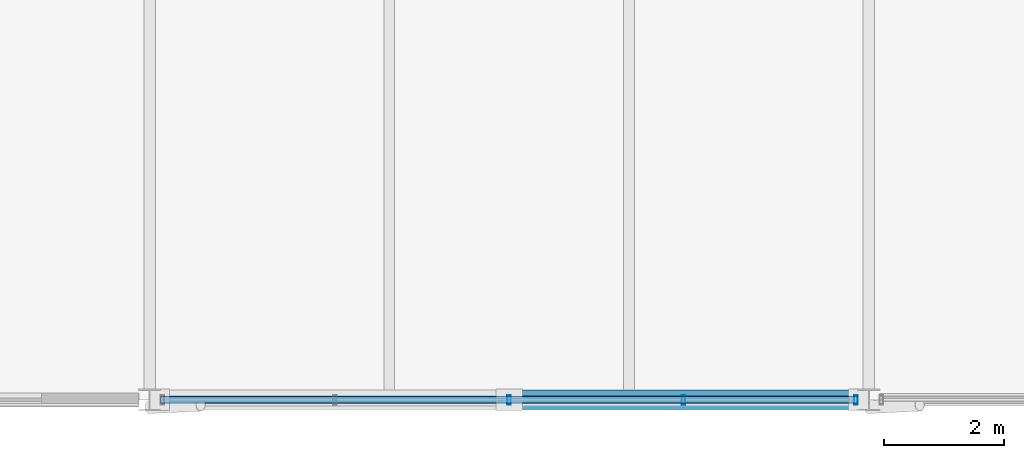
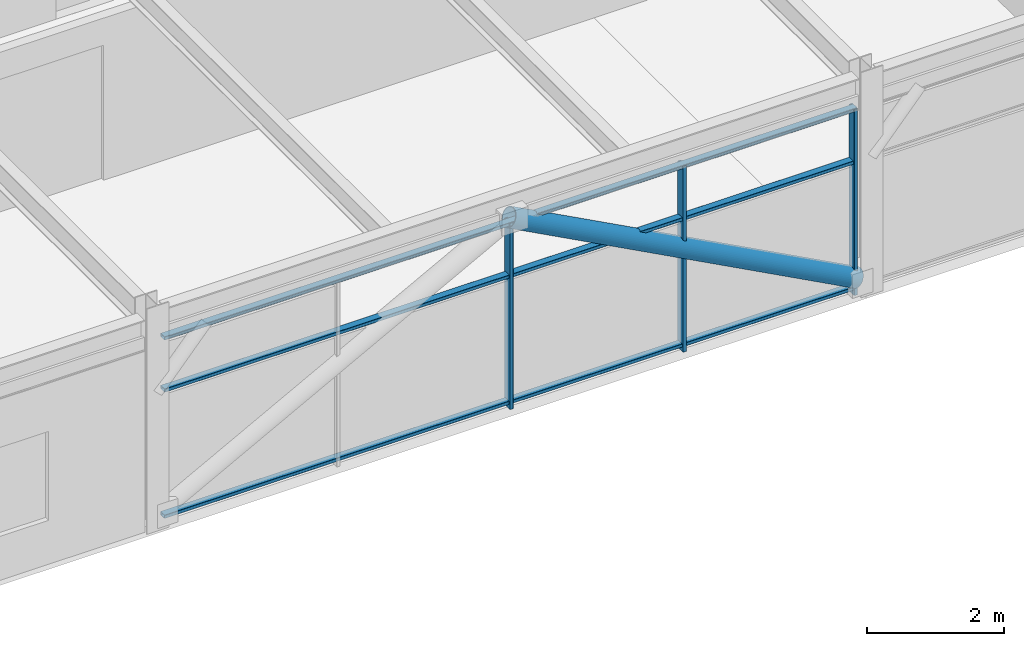
# One storey, part 7 of 40: 7 members, 1 element without a shape of its own.
"""IFC4 building model written with IfcOpenShell, lengths in metres."""

import ifcopenshell
import ifcopenshell.guid

model = None  # the IFC model being written
_history = None  # IfcOwnerHistory: only IFC2X3 demands one
_inside = {}  # id of a spatial element -> (the spatial element, [elements in it])
_under = {}  # id of a project, library or spatial element -> (it, [spatial elements below it])
_declared = {}  # id of a project -> (the project, [libraries it declares])
_typed = {}  # id of a type object -> (the type object, [elements of that type])
_made_of = {}  # id of a material, layer set ... -> (it, [elements and type objects made of it])


def new_model(schema):
    """Start an empty IFC model of exactly this schema.

    Asked for "IFC4X3", IfcOpenShell would pick the latest addendum, in which some entities
    have other attributes; the version numbers below select the first issue.
    IFC2X3 requires an IfcOwnerHistory on every rooted entity: one is made here for all.
    """
    global model, _history
    if schema == "IFC4X3":
        model = ifcopenshell.file(schema_version=(4, 3, 0, 0))
    else:
        model = ifcopenshell.file(schema=schema)
    _inside.clear()
    _under.clear()
    _declared.clear()
    _typed.clear()
    _made_of.clear()
    _history = None
    if model.schema == "IFC2X3":
        org = make("IfcOrganization", Name="unknown")
        user = make(
            "IfcPersonAndOrganization",
            ThePerson=make("IfcPerson", FamilyName="unknown"),
            TheOrganization=org,
        )
        app = make(
            "IfcApplication",
            ApplicationDeveloper=org,
            Version="unknown",
            ApplicationFullName="unknown",
            ApplicationIdentifier="unknown",
        )
        _history = make(
            "IfcOwnerHistory",
            OwningUser=user,
            OwningApplication=app,
            ChangeAction="ADDED",
            CreationDate=0,
        )
    return model


def make(cls, **values):
    """One entity of the class cls with the attributes given. An attribute that is None is left unset."""
    return model.create_entity(
        cls, **{name: value for name, value in values.items() if value is not None}
    )


def rooted(cls, **values):
    """An entity with a GlobalId (a new one), such as an element, a storey or a relation."""
    return make(cls, GlobalId=ifcopenshell.guid.new(), OwnerHistory=_history, **values)


def si_unit(unit_type, name, prefix=None):
    """IfcSIUnit, for example si_unit("LENGTHUNIT", "METRE", prefix="MILLI")."""
    return make("IfcSIUnit", UnitType=unit_type, Prefix=prefix, Name=name)


def assignment(units):
    """IfcUnitAssignment: the units of a project."""
    return None if units is None else make("IfcUnitAssignment", Units=units)


def point(xyz):
    """IfcCartesianPoint."""
    return None if xyz is None else make("IfcCartesianPoint", Coordinates=xyz)


def direction(xyz):
    """IfcDirection."""
    return None if xyz is None else make("IfcDirection", DirectionRatios=xyz)


def frame(location, z_axis=None, x_axis=None):
    """IfcAxis2Placement3D, a coordinate frame: its origin and axes. An axis left out is left unset."""
    return make(
        "IfcAxis2Placement3D",
        Location=point(location),
        Axis=direction(z_axis),
        RefDirection=direction(x_axis),
    )


def frame_2d(location, x_axis=None):
    """IfcAxis2Placement2D, a coordinate frame in the plane: its origin and x axis."""
    return make(
        "IfcAxis2Placement2D", Location=point(location), RefDirection=direction(x_axis)
    )


def origin():
    """The frame at (0, 0, 0) with its axes left unset."""
    return frame((0.0, 0.0, 0.0))


def origin_2d():
    """The frame at (0, 0) in the plane with its x axis left unset."""
    return frame_2d((0.0, 0.0))


def place(relative_to, where):
    """IfcLocalPlacement: puts the frame where relative to a parent placement (None: the world)."""
    return make(
        "IfcLocalPlacement", PlacementRelTo=relative_to, RelativePlacement=where
    )


def context(
    kind, dimensions, precision=None, world=None, true_north=None, identifier=None
):
    """IfcGeometricRepresentationContext, for example the 3D "Model" context."""
    return make(
        "IfcGeometricRepresentationContext",
        ContextIdentifier=identifier,
        ContextType=kind,
        CoordinateSpaceDimension=dimensions,
        Precision=precision,
        WorldCoordinateSystem=world,
        TrueNorth=true_north,
    )


def subcontext(parent, identifier, kind, view, scale=None):
    """IfcGeometricRepresentationSubContext, for example "Body" below "Model"."""
    return make(
        "IfcGeometricRepresentationSubContext",
        ContextIdentifier=identifier,
        ContextType=kind,
        ParentContext=parent,
        TargetScale=scale,
        TargetView=view,
    )


def project(units=None, contexts=None):
    """IfcProject with its units and contexts."""
    return rooted(
        "IfcProject",
        Name="project",
        RepresentationContexts=contexts,
        UnitsInContext=assignment(units),
    )


def spatial(cls, under=None, at=None, **own):
    """A site, building, storey or space (cls), placed at a placement, below another one or the project."""
    s = rooted(cls, ObjectPlacement=at, **own)
    if under is not None:
        _under.setdefault(under.id(), (under, []))[1].append(s)
    return s


def profile(cls, at=None, kind="AREA", **sizes):
    """A parametric profile (cls). Its sizes go by their IFC names, for example OverallWidth=200.0."""
    return make(cls, ProfileType=kind, Position=at, **sizes)


def hollow_rectangle(**sizes):
    """IfcRectangleHollowProfileDef."""
    return profile("IfcRectangleHollowProfileDef", **sizes)


def hollow_circle(**sizes):
    """IfcCircleHollowProfileDef."""
    return profile("IfcCircleHollowProfileDef", **sizes)


def extrude(swept, where, along, depth):
    """IfcExtrudedAreaSolid: the profile swept, set in the frame where, extruded along a direction by depth."""
    return make(
        "IfcExtrudedAreaSolid",
        SweptArea=swept,
        Position=where,
        ExtrudedDirection=direction(along),
        Depth=depth,
    )


def shape(context_of_items, identifier, shape_type, items):
    """IfcShapeRepresentation: the items that make up one representation, for example the "Body"."""
    return make(
        "IfcShapeRepresentation",
        ContextOfItems=context_of_items,
        RepresentationIdentifier=identifier,
        RepresentationType=shape_type,
        Items=items,
    )


def material(Name=None, Category=None):
    """IfcMaterial."""
    return make("IfcMaterial", Name=Name, Category=Category)


def material_profile(
    of_material, cross_section, Name=None, Category=None, Priority=None
):
    """IfcMaterialProfile: a cross section and its material."""
    return make(
        "IfcMaterialProfile",
        Name=Name,
        Material=of_material,
        Profile=cross_section,
        Priority=Priority,
        Category=Category,
    )


def profile_set(profiles, Name=None, composite=None):
    """IfcMaterialProfileSet."""
    return make(
        "IfcMaterialProfileSet",
        Name=Name,
        MaterialProfiles=profiles,
        CompositeProfile=composite,
    )


def made_of(thing, what):
    """Note that an element or type object is made of a material, layer set ...; save() writes the relation."""
    if what is not None:
        _made_of.setdefault(what.id(), (what, []))[1].append(thing)
    return thing


def type_object(cls, material=None, **own):
    """A type object (cls), such as IfcWallType, which elements share."""
    return made_of(rooted(cls, **own), material)


def element(
    cls,
    number,
    at=None,
    inside=None,
    cuts=None,
    type_object=None,
    material=None,
    context=None,
    identifier="Body",
    shape_type=None,
    held_by="IfcProductDefinitionShape",
    body=None,
    shapes=None,
    **own,
):
    """One element of the class cls, such as IfcWall. Its Tag is "e" and its number.

    at: its placement. inside: the storey or other place that contains it. cuts: it is an
    opening in that element (IfcRelVoidsElement). A single representation is given by context,
    identifier, shape_type and body (its items); several are given by shapes. held_by: the class
    of the entity that holds the representations. save() writes the other relations.
    """
    e = rooted(cls, Tag="e%d" % number, ObjectPlacement=at, **own)
    if body is not None:
        shapes = [shape(context, identifier, shape_type, body)]
    if shapes is not None:
        e.Representation = make(held_by, Representations=shapes)
    if inside is not None:
        _inside.setdefault(inside.id(), (inside, []))[1].append(e)
    if cuts is not None:
        rooted(
            "IfcRelVoidsElement", RelatingBuildingElement=cuts, RelatedOpeningElement=e
        )
    if type_object is not None:
        _typed.setdefault(type_object.id(), (type_object, []))[1].append(e)
    return made_of(e, material)


def aggregate(whole, parts):
    """IfcRelAggregates: a whole, such as a stair, and the parts it consists of."""
    return rooted("IfcRelAggregates", RelatingObject=whole, RelatedObjects=parts)


def save(model, path):
    """Write the relations noted so far, then the file.

    IfcRelAggregates (storeys below a building ...), IfcRelContainedInSpatialStructure (elements
    in a storey), IfcRelDefinesByType, IfcRelAssociatesMaterial and IfcRelDeclares: one each for
    every whole, place, type object, material and project.
    """
    for whole, parts in _under.values():
        aggregate(whole, parts)
    for where, things in _inside.values():
        rooted(
            "IfcRelContainedInSpatialStructure",
            RelatedElements=things,
            RelatingStructure=where,
        )
    for kind, things in _typed.values():
        rooted("IfcRelDefinesByType", RelatedObjects=things, RelatingType=kind)
    for what, things in _made_of.values():
        rooted("IfcRelAssociatesMaterial", RelatedObjects=things, RelatingMaterial=what)
    for by, libraries in _declared.values():
        rooted("IfcRelDeclares", RelatingContext=by, RelatedDefinitions=libraries)
    model.write(path)


model = new_model("IFC4")

# Units and contexts
model_context = context("Model", 3, precision=1e-05, world=origin(), true_north=direction((0.0, 1.0)))
body_context = subcontext(model_context, "Body", "Model", "MODEL_VIEW")
ifc_project = project(units=[si_unit("LENGTHUNIT", "METRE"), si_unit("AREAUNIT", "SQUARE_METRE"), si_unit("VOLUMEUNIT", "CUBIC_METRE"), si_unit("PLANEANGLEUNIT", "RADIAN"), si_unit("MASSUNIT", "GRAM", prefix="KILO")], contexts=[model_context])

# Site, building, storey
site_placement = place(None, origin())
site = spatial("IfcSite", under=ifc_project, at=site_placement, CompositionType="ELEMENT")
building_placement = place(site_placement, origin())
building = spatial("IfcBuilding", under=site, at=building_placement, Name="Girod Span Mobility Hub", CompositionType="ELEMENT")
storey_placement = place(building_placement, frame((0.0, 0.0, 57.60009765625)))
storey = spatial("IfcBuildingStorey", under=building, at=storey_placement, Name="L14", CompositionType="ELEMENT", Elevation=57.60009765625)

# Curtain wall, members
ifc_material_1 = material(Name="Thermally Broken Anodised Aluminium", Category="aluminium")
curtain_wall_type = type_object("IfcCurtainWallType", Name="CW-1164X331", PredefinedType="USERDEFINED", material=ifc_material_1)
curtain_wall_placement = place(storey_placement, origin())
curtain_wall = element("IfcCurtainWall", 1, at=curtain_wall_placement, inside=storey, type_object=curtain_wall_type, Name="Unitised Curtain Wall CW-L14-S05 L14", ObjectType="UNITISED CURTAIN WALL", PredefinedType="USERDEFINED")
ifc_material_2 = material(Name="Thermally Broken Anodised Aluminium", Category="aluminium")
ifc_material_profile_1 = material_profile(ifc_material_2, hollow_rectangle(XDim=0.159912109375, YDim=0.06005859375, WallThickness=0.00341796875, InnerFilletRadius=0.00341796875, OuterFilletRadius=0.007080078125, at=origin_2d()), Name="CW-ML-60X160")
ifc_profile_set_1 = profile_set([ifc_material_profile_1], Name="Thermally Broken Anodised Aluminium")
member_type_1 = type_object("IfcMemberType", Name="CWM-ML-3", PredefinedType="MULLION", material=ifc_profile_set_1)
member_1_placement = place(storey_placement, frame((54.0, 45.0, 0.0), z_axis=(0.0, 0.0, 1.0), x_axis=(0.0, 1.0, 0.0)))
member_1 = element("IfcMember", 2, at=member_1_placement, type_object=member_type_1, Name="Curtain Wall Mullion CW-L14-S05-M2", PredefinedType="MULLION", context=body_context, shape_type="SweptSolid", body=[
    extrude(hollow_rectangle(XDim=0.159912109375, YDim=0.06005859375, WallThickness=0.00341796875, InnerFilletRadius=0.00341796875, OuterFilletRadius=0.007080078125, at=origin_2d()), origin(), (0.0, 0.0, 1.0), 3.305908203125),
])
member_2_placement = place(storey_placement, frame((56.90869140625, 45.0, 0.0), z_axis=(0.0, 0.0, 1.0), x_axis=(0.0, 1.0, 0.0)))
member_2 = element("IfcMember", 3, at=member_2_placement, type_object=member_type_1, Name="Curtain Wall Mullion CW-L14-S05-M3", PredefinedType="MULLION", context=body_context, shape_type="SweptSolid", body=[
    extrude(hollow_rectangle(XDim=0.159912109375, YDim=0.06005859375, WallThickness=0.00341796875, InnerFilletRadius=0.00341796875, OuterFilletRadius=0.007080078125, at=origin_2d()), origin(), (0.0, 0.0, 1.0), 3.305908203125),
])
member_3_placement = place(storey_placement, frame((59.785400390625, 45.0, 0.0), z_axis=(0.0, 0.0, 1.0), x_axis=(0.0, 1.0, 0.0)))
member_3 = element("IfcMember", 4, at=member_3_placement, type_object=member_type_1, Name="Curtain Wall Mullion CW-L14-S05-M4", PredefinedType="MULLION", context=body_context, shape_type="SweptSolid", body=[
    extrude(hollow_rectangle(XDim=0.159912109375, YDim=0.06005859375, WallThickness=0.00341796875, InnerFilletRadius=0.00341796875, OuterFilletRadius=0.007080078125, at=origin_2d()), origin(), (0.0, 0.0, 1.0), 3.305908203125),
])
ifc_material_3 = material(Name="Thermally Broken Anodised Aluminium", Category="aluminium")
ifc_material_profile_2 = material_profile(ifc_material_3, hollow_rectangle(XDim=0.1201171875, YDim=0.06005859375, WallThickness=0.00341796875, InnerFilletRadius=0.00341796875, OuterFilletRadius=0.007080078125, at=origin_2d()), Name="CW-TR-60X120")
ifc_profile_set_2 = profile_set([ifc_material_profile_2], Name="Thermally Broken Anodised Aluminium")
member_type_2 = type_object("IfcMemberType", Name="CWM-TR-3", PredefinedType="USERDEFINED", material=ifc_profile_set_2)
member_4_placement = place(storey_placement, frame((48.1826171875, 45.0, 0.10986328125), z_axis=(1.0, 0.0, 0.0), x_axis=(0.0, 1.0, 0.0)))
member_4 = element("IfcMember", 5, at=member_4_placement, type_object=member_type_2, Name="Curtain Wall Transom CW-L14-S05-T1", ObjectType="TRANSOM", PredefinedType="USERDEFINED", context=body_context, shape_type="SweptSolid", body=[
    extrude(hollow_rectangle(XDim=0.1201171875, YDim=0.06005859375, WallThickness=0.00341796875, InnerFilletRadius=0.00341796875, OuterFilletRadius=0.007080078125, at=origin_2d()), origin(), (0.0, 0.0, 1.0), 11.634765625),
])
member_5_placement = place(storey_placement, frame((48.1826171875, 45.0, 2.35009765625), z_axis=(1.0, 0.0, 0.0), x_axis=(0.0, 1.0, 0.0)))
member_5 = element("IfcMember", 6, at=member_5_placement, type_object=member_type_2, Name="Curtain Wall Transom CW-L14-S05-T2", ObjectType="TRANSOM", PredefinedType="USERDEFINED", context=body_context, shape_type="SweptSolid", body=[
    extrude(hollow_rectangle(XDim=0.1201171875, YDim=0.06005859375, WallThickness=0.00341796875, InnerFilletRadius=0.00341796875, OuterFilletRadius=0.007080078125, at=origin_2d()), origin(), (0.0, 0.0, 1.0), 11.634765625),
])
member_6_placement = place(storey_placement, frame((48.1826171875, 45.0, 3.27587890625), z_axis=(1.0, 0.0, 0.0), x_axis=(0.0, 1.0, 0.0)))
member_6 = element("IfcMember", 7, at=member_6_placement, type_object=member_type_2, Name="Curtain Wall Transom CW-L14-S05-T3", ObjectType="TRANSOM", PredefinedType="USERDEFINED", context=body_context, shape_type="SweptSolid", body=[
    extrude(hollow_rectangle(XDim=0.1201171875, YDim=0.06005859375, WallThickness=0.00341796875, InnerFilletRadius=0.00341796875, OuterFilletRadius=0.007080078125, at=origin_2d()), origin(), (0.0, 0.0, 1.0), 11.634765625),
])
aggregate(curtain_wall, [member_1, member_2, member_3, member_4, member_5, member_6])

# Member
ifc_material_4 = material(Name="Steel HSS A500 Grade C", Category="steel")
ifc_material_profile_3 = material_profile(ifc_material_4, hollow_circle(Radius=0.162109375, WallThickness=0.01171875, at=origin_2d()), Name="HSS324X12.7")
ifc_profile_set_3 = profile_set([ifc_material_profile_3], Name="Steel HSS A500 Grade C")
member_type_3 = type_object("IfcMemberType", Name="MB-BR-HSS324", PredefinedType="BRACE", material=ifc_profile_set_3)
member_7_placement = place(storey_placement, frame((59.83544921875, 45.0, 0.25), z_axis=(-0.882118883512, 0.0, 0.47102683082), x_axis=(0.0, -1.0, 0.0)))
element("IfcMember", 8, at=member_7_placement, inside=storey, type_object=member_type_3, Name="Upper Diagrid Brace 5/D-R L14", PredefinedType="BRACE", context=body_context, shape_type="SweptSolid", body=[
    extrude(hollow_circle(Radius=0.162109375, WallThickness=0.01171875, at=origin_2d()), origin(), (0.0, 0.0, 1.0), 6.615234375),
])

save(model, "model.ifc")
